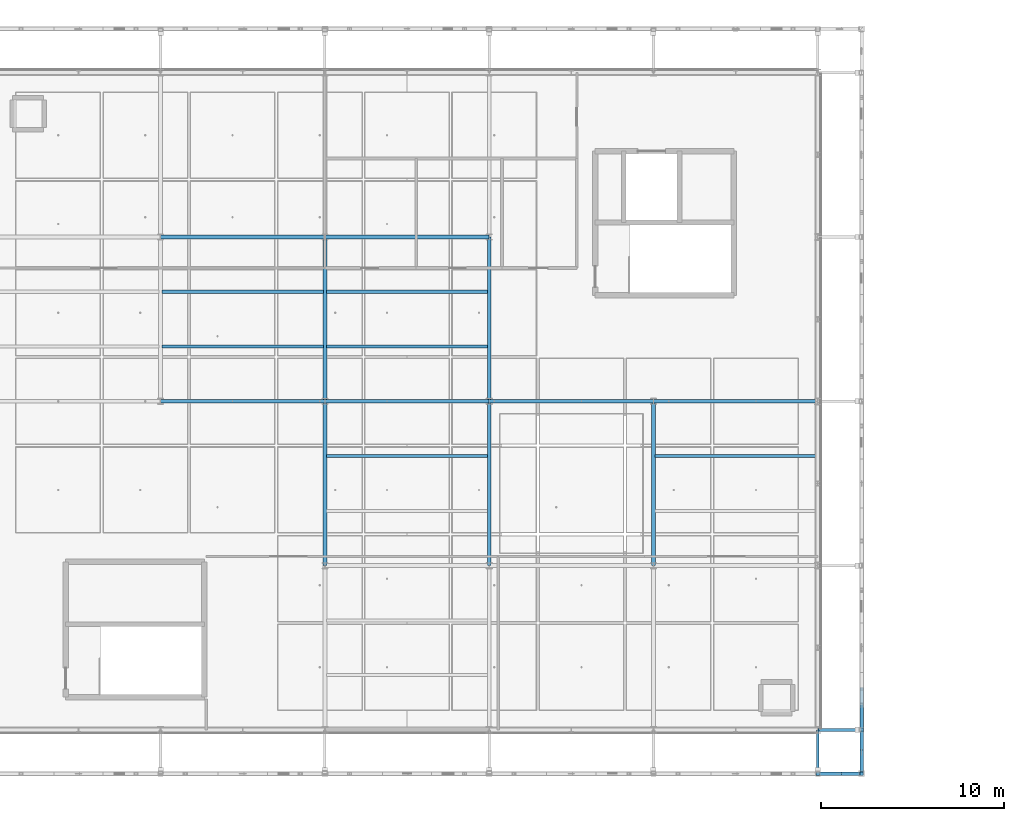
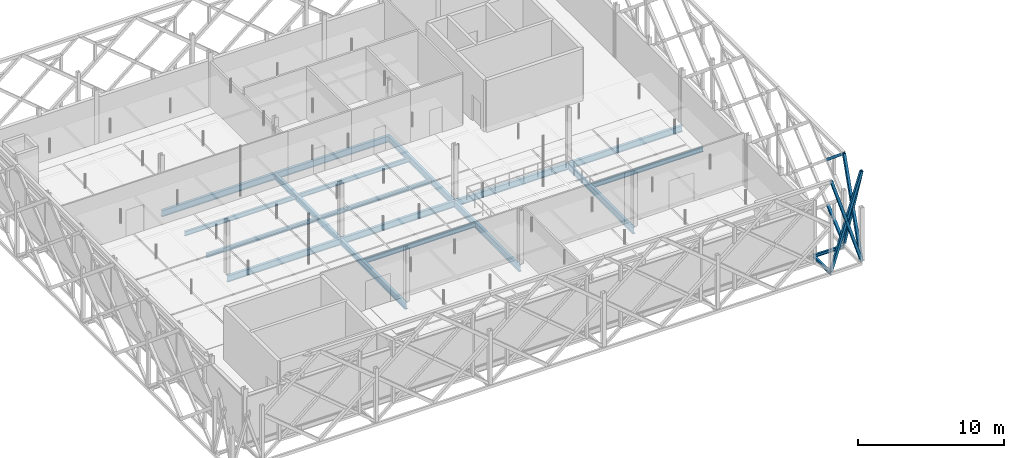
# One storey, part 20 of 66: 19 beams, 8 members.
"""IFC4 building model written with IfcOpenShell, lengths in metres."""

from ifc_helpers import new_model, si_unit, direction, frame, origin, origin_2d, place, context, subcontext, project, spatial, hollow_rectangle, i_section, extrude, material, material_profile, profile_set, type_object, element, save


model = new_model("IFC4")

# Units and contexts
model_context = context("Model", 3, precision=1e-05, world=origin(), true_north=direction((0.0, 1.0)))
body_context = subcontext(model_context, "Body", "Model", "MODEL_VIEW")
ifc_project = project(units=[si_unit("LENGTHUNIT", "METRE"), si_unit("AREAUNIT", "SQUARE_METRE"), si_unit("VOLUMEUNIT", "CUBIC_METRE"), si_unit("PLANEANGLEUNIT", "RADIAN"), si_unit("MASSUNIT", "GRAM", prefix="KILO"), si_unit("THERMODYNAMICTEMPERATUREUNIT", "KELVIN"), si_unit("POWERUNIT", "WATT")], contexts=[model_context])

# Site, building, storey
site_placement = place(None, origin())
site = spatial("IfcSite", under=ifc_project, at=site_placement, CompositionType="ELEMENT")
building_placement = place(site_placement, origin())
building = spatial("IfcBuilding", under=site, at=building_placement, Name="Tallowbark Science Centre", CompositionType="ELEMENT")
storey_placement = place(building_placement, frame((0.0, 0.0, 18.89990234375)))
storey = spatial("IfcBuildingStorey", under=building, at=storey_placement, Name="L04", CompositionType="ELEMENT", Elevation=18.89990234375)

# Beams
ifc_material_1 = material(Name="White Architectural Painted Steel Grade C350L0 (350 MPa)", Category="steel")
ifc_material_profile_1 = material_profile(ifc_material_1, i_section(OverallWidth=0.146484375, OverallDepth=0.256103515625, WebThickness=0.00634765625, FlangeThickness=0.010986328125, FilletRadius=0.0087890625, at=origin_2d()), Name="250UB37.3")
ifc_profile_set_1 = profile_set([ifc_material_profile_1], Name="White Architectural Painted Steel Grade C350L0 (350 MPa)")
beam_type_1 = type_object("IfcBeamType", Name="BM-OUT250", PredefinedType="BEAM", material=ifc_profile_set_1)
for number, where, z_axis, x_axis, name in (
    (1, (103.5, 4.5, -0.25), (0.0, -1.0, 0.0), (1.0, 0.0, 0.0), "Star Screen Outrigger Tie Beam S-67"),
    (2, (103.5, 4.5, -0.25), (1.0, 0.0, 0.0), (0.0, 1.0, 0.0), "Star Screen Outrigger Tie Beam E-70"),
):
    element("IfcBeam", number, at=place(storey_placement, frame(where, z_axis=z_axis, x_axis=x_axis)), inside=storey, type_object=beam_type_1, Name=name, PredefinedType="BEAM", context=body_context, shape_type="SweptSolid", body=[
        extrude(i_section(OverallWidth=0.146484375, OverallDepth=0.256103515625, WebThickness=0.00634765625, FlangeThickness=0.010986328125, FilletRadius=0.0087890625, at=origin_2d()), origin(), (0.0, 0.0, 1.0), 2.39990234375),
    ])
ifc_material_2 = material(Name="Structural Steel Grade 300PLUS (300 MPa)", Category="steel")
ifc_material_profile_2 = material_profile(ifc_material_2, i_section(OverallWidth=0.208984375, OverallDepth=0.532958984375, WebThickness=0.01025390625, FlangeThickness=0.015625, FilletRadius=0.013916015625, at=origin_2d()), Name="530UB92.4")
ifc_profile_set_2 = profile_set([ifc_material_profile_2], Name="Structural Steel Grade 300PLUS (300 MPa)")
beam_type_2 = type_object("IfcBeamType", Name="BM-UB530A", PredefinedType="BEAM", material=ifc_profile_set_2)
for number, where, z_axis, x_axis, name in (
    (3, (67.5, 22.5, -0.4462890625), (1.0, 0.0, 0.0), (0.0, 1.0, 0.0), "Primary Girder GRDX-L04-675-765-225"),
    (4, (76.5, 22.5, -0.4462890625), (1.0, 0.0, 0.0), (0.0, 1.0, 0.0), "Primary Girder GRDX-L04-765-855-225"),
    (5, (85.5, 22.5, -0.4462890625), (1.0, 0.0, 0.0), (0.0, 1.0, 0.0), "Primary Girder GRDX-L04-855-945-225"),
    (6, (94.5, 22.5, -0.4462890625), (1.0, 0.0, 0.0), (0.0, 1.0, 0.0), "Primary Girder GRDX-L04-945-1035-225"),
    (7, (67.5, 31.5, -0.4462890625), (1.0, 0.0, 0.0), (0.0, 1.0, 0.0), "Primary Girder GRDX-L04-675-765-315"),
    (8, (76.5, 31.5, -0.4462890625), (1.0, 0.0, 0.0), (0.0, 1.0, 0.0), "Primary Girder GRDX-L04-765-855-315"),
):
    element("IfcBeam", number, at=place(storey_placement, frame(where, z_axis=z_axis, x_axis=x_axis)), inside=storey, type_object=beam_type_2, Name=name, PredefinedType="BEAM", context=body_context, shape_type="SweptSolid", body=[
        extrude(i_section(OverallWidth=0.208984375, OverallDepth=0.532958984375, WebThickness=0.01025390625, FlangeThickness=0.015625, FilletRadius=0.013916015625, at=origin_2d()), origin(), (0.0, 0.0, 1.0), 9.0),
    ])
ifc_material_profile_3 = material_profile(ifc_material_2, i_section(OverallWidth=0.208740234375, OverallDepth=0.5283203125, WebThickness=0.009521484375, FlangeThickness=0.01318359375, FilletRadius=0.013916015625, at=origin_2d()), Name="530UB82.0")
ifc_profile_set_3 = profile_set([ifc_material_profile_3], Name="Structural Steel Grade 300PLUS (300 MPa)")
beam_type_3 = type_object("IfcBeamType", Name="BM-UB530B", PredefinedType="BEAM", material=ifc_profile_set_3)
for number, where, z_axis, x_axis, name in (
    (9, (76.5, 13.5, -0.444091796875), (0.0, 1.0, 0.0), (-1.0, 0.0, 0.0), "Primary Girder GRDY-L04-765-135-225"),
    (10, (76.5, 22.5, -0.444091796875), (0.0, 1.0, 0.0), (-1.0, 0.0, 0.0), "Primary Girder GRDY-L04-765-225-315"),
    (11, (85.5, 13.5, -0.444091796875), (0.0, 1.0, 0.0), (-1.0, 0.0, 0.0), "Primary Girder GRDY-L04-855-135-225"),
    (12, (85.5, 22.5, -0.444091796875), (0.0, 1.0, 0.0), (-1.0, 0.0, 0.0), "Primary Girder GRDY-L04-855-225-315"),
    (13, (94.5, 13.5, -0.444091796875), (0.0, 1.0, 0.0), (-1.0, 0.0, 0.0), "Primary Girder GRDY-L04-945-135-225"),
):
    element("IfcBeam", number, at=place(storey_placement, frame(where, z_axis=z_axis, x_axis=x_axis)), inside=storey, type_object=beam_type_3, Name=name, PredefinedType="BEAM", context=body_context, shape_type="SweptSolid", body=[
        extrude(i_section(OverallWidth=0.208740234375, OverallDepth=0.5283203125, WebThickness=0.009521484375, FlangeThickness=0.01318359375, FilletRadius=0.013916015625, at=origin_2d()), origin(), (0.0, 0.0, 1.0), 9.0),
    ])
ifc_material_profile_4 = material_profile(ifc_material_2, i_section(OverallWidth=0.172119140625, OverallDepth=0.358642578125, WebThickness=0.008056640625, FlangeThickness=0.012939453125, FilletRadius=0.011474609375, at=origin_2d()), Name="360UB56.7")
ifc_profile_set_4 = profile_set([ifc_material_profile_4], Name="Structural Steel Grade 300PLUS (300 MPa)")
beam_type_4 = type_object("IfcBeamType", Name="JST-UB360", PredefinedType="JOIST", material=ifc_profile_set_4)
for number, where, z_axis, x_axis, name in (
    (14, (76.5849609375, 19.5, -0.359130859375), (1.0, 0.0, 0.0), (0.0, 1.0, 0.0), "Composite Floor Joist JSTX-L04-765-195"),
    (15, (94.5849609375, 19.5, -0.359130859375), (1.0, 0.0, 0.0), (0.0, 1.0, 0.0), "Composite Floor Joist JSTX-L04-945-195"),
    (16, (67.5849609375, 25.5, -0.359130859375), (1.0, 0.0, 0.0), (0.0, 1.0, 0.0), "Composite Floor Joist JSTX-L04-675-255"),
    (17, (67.5849609375, 28.5, -0.359130859375), (1.0, 0.0, 0.0), (0.0, 1.0, 0.0), "Composite Floor Joist JSTX-L04-675-285"),
    (18, (76.5849609375, 25.5, -0.359130859375), (1.0, 0.0, 0.0), (0.0, 1.0, 0.0), "Composite Floor Joist JSTX-L04-765-255"),
    (19, (76.5849609375, 28.5, -0.359130859375), (1.0, 0.0, 0.0), (0.0, 1.0, 0.0), "Composite Floor Joist JSTX-L04-765-285"),
):
    element("IfcBeam", number, at=place(storey_placement, frame(where, z_axis=z_axis, x_axis=x_axis)), inside=storey, type_object=beam_type_4, Name=name, PredefinedType="JOIST", context=body_context, shape_type="SweptSolid", body=[
        extrude(i_section(OverallWidth=0.172119140625, OverallDepth=0.358642578125, WebThickness=0.008056640625, FlangeThickness=0.012939453125, FilletRadius=0.011474609375, at=origin_2d()), origin(), (0.0, 0.0, 1.0), 8.830078125),
    ])

# Members
ifc_material_profile_5 = material_profile(ifc_material_1, hollow_rectangle(XDim=0.199951171875, YDim=0.199951171875, WallThickness=0.009033203125, at=origin_2d()), Name="200x200x9.0SHS")
ifc_profile_set_5 = profile_set([ifc_material_profile_5], Name="White Architectural Painted Steel Grade C350L0 (350 MPa)")
member_type = type_object("IfcMemberType", Name="SCR-STAR139", PredefinedType="BRACE", material=ifc_profile_set_5)
for number, where, z_axis, x_axis, name in (
    (20, (105.89990234375, 4.5, 0.0), (0.0, 0.768221279597, 0.640184399664), (-1.0, 0.0, 0.0), "Star Screen Continuous X-Diagonal D1A E-47"),
    (21, (105.89990234375, 4.5, 7.5), (0.0, 0.768221279597, -0.640184399664), (-1.0, 0.0, 0.0), "Star Screen Split X-Diagonal D2A E-47"),
):
    element("IfcMember", number, at=place(storey_placement, frame(where, z_axis=z_axis, x_axis=x_axis)), inside=storey, type_object=member_type, Name=name, PredefinedType="BRACE", context=body_context, shape_type="SweptSolid", body=[
        extrude(hollow_rectangle(XDim=0.199951171875, YDim=0.199951171875, WallThickness=0.009033203125, at=origin_2d()), origin(), (0.0, 0.0, 1.0), 2.928955078125),
    ])
member_1_placement = place(storey_placement, frame((103.5, 2.10009765625, 0.0), z_axis=(0.304764477624, 0.0, 0.95242774696), x_axis=(0.0, 1.0, 0.0)))
element("IfcMember", 22, at=member_1_placement, inside=storey, type_object=member_type, Name="Star Screen Corner Continuous Diagonal SEX-L04", PredefinedType="BRACE", context=body_context, shape_type="SweptSolid", body=[
    extrude(hollow_rectangle(XDim=0.199951171875, YDim=0.199951171875, WallThickness=0.009033203125, at=origin_2d()), origin(), (0.0, 0.0, 1.0), 7.87451171875),
])
for number, where, z_axis, x_axis, name in (
    (23, (105.89990234375, 2.10009765625, 0.0), (-0.304764477624, 0.0, 0.95242774696), (0.0, -1.0, 0.0), "Star Screen Corner Split Diagonal A SEX-L04"),
    (24, (104.699951171875, 2.10009765625, 3.75), (-0.304764477624, 0.0, 0.95242774696), (0.0, -1.0, 0.0), "Star Screen Corner Split Diagonal B SEX-L04"),
):
    element("IfcMember", number, at=place(storey_placement, frame(where, z_axis=z_axis, x_axis=x_axis)), inside=storey, type_object=member_type, Name=name, PredefinedType="BRACE", context=body_context, shape_type="SweptSolid", body=[
        extrude(hollow_rectangle(XDim=0.199951171875, YDim=0.199951171875, WallThickness=0.009033203125, at=origin_2d()), origin(), (0.0, 0.0, 1.0), 3.937255859375),
    ])
member_2_placement = place(storey_placement, frame((105.89990234375, 2.10009765625, 0.0), z_axis=(0.0, 0.304764477624, 0.95242774696), x_axis=(-1.0, 0.0, 0.0)))
element("IfcMember", 25, at=member_2_placement, inside=storey, type_object=member_type, Name="Star Screen Corner Continuous Diagonal SEY-L04", PredefinedType="BRACE", context=body_context, shape_type="SweptSolid", body=[
    extrude(hollow_rectangle(XDim=0.199951171875, YDim=0.199951171875, WallThickness=0.009033203125, at=origin_2d()), origin(), (0.0, 0.0, 1.0), 7.87451171875),
])
for number, where, z_axis, x_axis, name in (
    (26, (105.89990234375, 4.5, 0.0), (0.0, -0.304764477624, 0.95242774696), (1.0, 0.0, 0.0), "Star Screen Corner Split Diagonal A SEY-L04"),
    (27, (105.89990234375, 3.300048828125, 3.75), (0.0, -0.304764477624, 0.95242774696), (1.0, 0.0, 0.0), "Star Screen Corner Split Diagonal B SEY-L04"),
):
    element("IfcMember", number, at=place(storey_placement, frame(where, z_axis=z_axis, x_axis=x_axis)), inside=storey, type_object=member_type, Name=name, PredefinedType="BRACE", context=body_context, shape_type="SweptSolid", body=[
        extrude(hollow_rectangle(XDim=0.199951171875, YDim=0.199951171875, WallThickness=0.009033203125, at=origin_2d()), origin(), (0.0, 0.0, 1.0), 3.937255859375),
    ])

save(model, "model.ifc")
